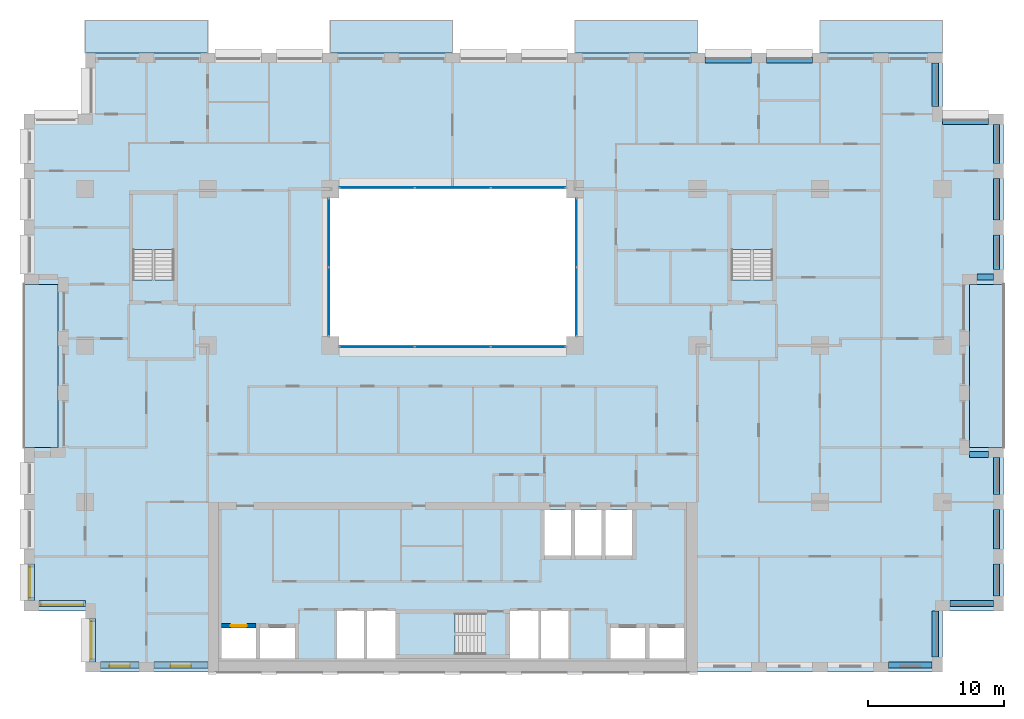
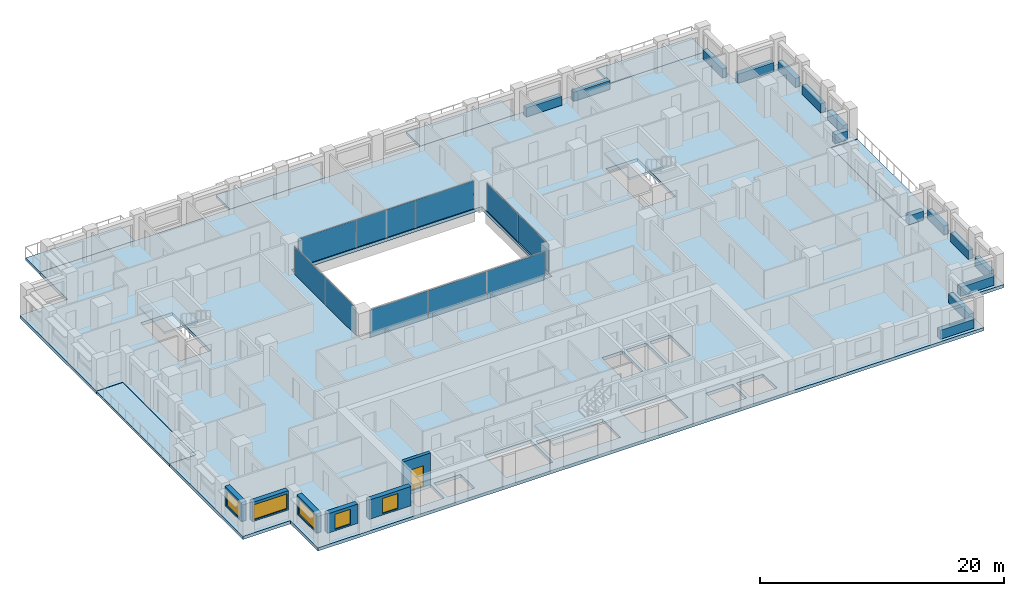
# One storey, part 7 of 16: 15 beams, 10 plates, 10 slabs, 6 walls, 5 windows, 1 door, 6 openings, 7 elements without a shape of their own.
"""IFC4 building model written with IfcOpenShell, lengths in metres."""

from ifc_helpers import new_model, si_unit, direction, frame, frame_2d, origin, origin_2d, place, context, subcontext, project, spatial, polyline, rectangle, outline, extrude, material, layer, layer_set, material_profile, profile_set, type_object, element, fill, aggregate, save


model = new_model("IFC4")

# Units and contexts
model_context = context("Model", 3, precision=1e-05, world=origin(), true_north=direction((0.0, 1.0)))
body_context = subcontext(model_context, "Body", "Model", "MODEL_VIEW")
ifc_project = project(units=[si_unit("LENGTHUNIT", "METRE"), si_unit("AREAUNIT", "SQUARE_METRE"), si_unit("VOLUMEUNIT", "CUBIC_METRE"), si_unit("PLANEANGLEUNIT", "RADIAN"), si_unit("MASSUNIT", "GRAM", prefix="KILO")], contexts=[model_context])

# Site, building, storey
site_placement = place(None, origin())
site = spatial("IfcSite", under=ifc_project, at=site_placement, CompositionType="ELEMENT")
building_placement = place(site_placement, origin())
building = spatial("IfcBuilding", under=site, at=building_placement, Name="Brigalow Station Residences", CompositionType="ELEMENT")
storey_placement = place(building_placement, frame((0.0, 0.0, 83.550048828125)))
storey = spatial("IfcBuildingStorey", under=building, at=storey_placement, Name="L23", CompositionType="ELEMENT", Elevation=83.550048828125)

# Beams
ifc_material_1 = material(Name="Concrete C65", Category="concrete")
ifc_material_profile = material_profile(ifc_material_1, rectangle(XDim=0.449951171875, YDim=0.89990234375, at=origin_2d()), Name="RC450x900")
ifc_profile_set = profile_set([ifc_material_profile], Name="Concrete C65")
beam_type = type_object("IfcBeamType", Name="SPANDREL BEAM 450x900 C65", PredefinedType="SPANDREL", material=ifc_profile_set)
beam_1_placement = place(storey_placement, frame((68.050048828125, 0.52490234375, 0.449951171875), z_axis=(1.0, 0.0, 0.0), x_axis=(0.0, 1.0, 0.0)))
element("IfcBeam", 1, at=beam_1_placement, inside=storey, type_object=beam_type, Name="L23/spandrel/W-L23-7", PredefinedType="SPANDREL", context=body_context, shape_type="SweptSolid", body=[
    extrude(rectangle(XDim=0.449951171875, YDim=0.89990234375, at=origin_2d()), origin(), (0.0, 0.0, 1.0), 3.199951171875),
])
beam_2_placement = place(storey_placement, frame((71.47509765625, 1.10009765625, 0.449951171875), z_axis=(0.0, 1.0, 0.0), x_axis=(-1.0, 0.0, 0.0)))
element("IfcBeam", 2, at=beam_2_placement, inside=storey, type_object=beam_type, Name="L23/spandrel/W-L23-8", PredefinedType="SPANDREL", context=body_context, shape_type="SweptSolid", body=[
    extrude(rectangle(XDim=0.449951171875, YDim=0.89990234375, at=origin_2d()), origin(), (0.0, 0.0, 1.0), 3.39990234375),
])
beam_3_placement = place(storey_placement, frame((72.550048828125, 5.02490234375, 0.449951171875), z_axis=(1.0, 0.0, 0.0), x_axis=(0.0, 1.0, 0.0)))
element("IfcBeam", 3, at=beam_3_placement, inside=storey, type_object=beam_type, Name="L23/spandrel/W-L23-9", PredefinedType="SPANDREL", context=body_context, shape_type="SweptSolid", body=[
    extrude(rectangle(XDim=0.449951171875, YDim=0.89990234375, at=origin_2d()), origin(), (0.0, 0.0, 1.0), 3.199951171875),
])
beam_4_placement = place(storey_placement, frame((75.97509765625, 5.60009765625, 0.449951171875), z_axis=(0.0, 1.0, 0.0), x_axis=(-1.0, 0.0, 0.0)))
element("IfcBeam", 4, at=beam_4_placement, inside=storey, type_object=beam_type, Name="L23/spandrel/W-L23-10", PredefinedType="SPANDREL", context=body_context, shape_type="SweptSolid", body=[
    extrude(rectangle(XDim=0.449951171875, YDim=0.89990234375, at=origin_2d()), origin(), (0.0, 0.0, 1.0), 2.349853515625),
])
beam_5_placement = place(storey_placement, frame((75.97509765625, 9.050048828125, 0.449951171875), z_axis=(0.0, 1.0, 0.0), x_axis=(-1.0, 0.0, 0.0)))
element("IfcBeam", 5, at=beam_5_placement, inside=storey, type_object=beam_type, Name="L23/spandrel/W-L23-11", PredefinedType="SPANDREL", context=body_context, shape_type="SweptSolid", body=[
    extrude(rectangle(XDim=0.449951171875, YDim=0.89990234375, at=origin_2d()), origin(), (0.0, 0.0, 1.0), 2.89990234375),
])
beam_6_placement = place(storey_placement, frame((75.97509765625, 13.050048828125, 0.449951171875), z_axis=(0.0, 1.0, 0.0), x_axis=(-1.0, 0.0, 0.0)))
element("IfcBeam", 6, at=beam_6_placement, inside=storey, type_object=beam_type, Name="L23/spandrel/W-L23-12", PredefinedType="SPANDREL", context=body_context, shape_type="SweptSolid", body=[
    extrude(rectangle(XDim=0.449951171875, YDim=0.89990234375, at=origin_2d()), origin(), (0.0, 0.0, 1.0), 2.699951171875),
])
beam_7_placement = place(storey_placement, frame((75.39990234375, 15.97509765625, 0.449951171875), z_axis=(-1.0, 0.0, 0.0), x_axis=(0.0, -1.0, 0.0)))
element("IfcBeam", 7, at=beam_7_placement, inside=storey, type_object=beam_type, Name="L23/spandrel/W-L23-13", PredefinedType="SPANDREL", context=body_context, shape_type="SweptSolid", body=[
    extrude(rectangle(XDim=0.449951171875, YDim=0.89990234375, at=origin_2d()), origin(), (0.0, 0.0, 1.0), 1.39990234375),
])
beam_8_placement = place(storey_placement, frame((74.550048828125, 29.02490234375, 0.449951171875), z_axis=(1.0, 0.0, 0.0), x_axis=(0.0, 1.0, 0.0)))
element("IfcBeam", 8, at=beam_8_placement, inside=storey, type_object=beam_type, Name="L23/spandrel/W-L23-17", PredefinedType="SPANDREL", context=body_context, shape_type="SweptSolid", body=[
    extrude(rectangle(XDim=0.449951171875, YDim=0.89990234375, at=origin_2d()), origin(), (0.0, 0.0, 1.0), 1.199951171875),
])
beam_9_placement = place(storey_placement, frame((75.97509765625, 29.60009765625, 0.449951171875), z_axis=(0.0, 1.0, 0.0), x_axis=(-1.0, 0.0, 0.0)))
element("IfcBeam", 9, at=beam_9_placement, inside=storey, type_object=beam_type, Name="L23/spandrel/W-L23-18", PredefinedType="SPANDREL", context=body_context, shape_type="SweptSolid", body=[
    extrude(rectangle(XDim=0.449951171875, YDim=0.89990234375, at=origin_2d()), origin(), (0.0, 0.0, 1.0), 2.516845703125),
])
beam_10_placement = place(storey_placement, frame((75.97509765625, 33.217041015625, 0.449951171875), z_axis=(0.0, 1.0, 0.0), x_axis=(-1.0, 0.0, 0.0)))
element("IfcBeam", 10, at=beam_10_placement, inside=storey, type_object=beam_type, Name="L23/spandrel/W-L23-19", PredefinedType="SPANDREL", context=body_context, shape_type="SweptSolid", body=[
    extrude(rectangle(XDim=0.449951171875, YDim=0.89990234375, at=origin_2d()), origin(), (0.0, 0.0, 1.0), 3.06591796875),
])
beam_11_placement = place(storey_placement, frame((75.97509765625, 37.383056640625, 0.449951171875), z_axis=(0.0, 1.0, 0.0), x_axis=(-1.0, 0.0, 0.0)))
element("IfcBeam", 11, at=beam_11_placement, inside=storey, type_object=beam_type, Name="L23/spandrel/W-L23-20", PredefinedType="SPANDREL", context=body_context, shape_type="SweptSolid", body=[
    extrude(rectangle(XDim=0.449951171875, YDim=0.89990234375, at=origin_2d()), origin(), (0.0, 0.0, 1.0), 2.866943359375),
])
beam_12_placement = place(storey_placement, frame((75.39990234375, 40.47509765625, 0.449951171875), z_axis=(-1.0, 0.0, 0.0), x_axis=(0.0, -1.0, 0.0)))
element("IfcBeam", 12, at=beam_12_placement, inside=storey, type_object=beam_type, Name="L23/spandrel/W-L23-21", PredefinedType="SPANDREL", context=body_context, shape_type="SweptSolid", body=[
    extrude(rectangle(XDim=0.449951171875, YDim=0.89990234375, at=origin_2d()), origin(), (0.0, 0.0, 1.0), 3.39990234375),
])
beam_13_placement = place(storey_placement, frame((71.47509765625, 41.550048828125, 0.449951171875), z_axis=(0.0, 1.0, 0.0), x_axis=(-1.0, 0.0, 0.0)))
element("IfcBeam", 13, at=beam_13_placement, inside=storey, type_object=beam_type, Name="L23/spandrel/W-L23-22", PredefinedType="SPANDREL", context=body_context, shape_type="SweptSolid", body=[
    extrude(rectangle(XDim=0.449951171875, YDim=0.89990234375, at=origin_2d()), origin(), (0.0, 0.0, 1.0), 3.199951171875),
])
for number, where, z_axis, x_axis, name in (
    (14, (62.449951171875, 44.97509765625, 0.449951171875), (-1.0, 0.0, 0.0), (0.0, -1.0, 0.0), "L23/spandrel/W-L23-25"),
    (15, (57.949951171875, 44.97509765625, 0.449951171875), (-1.0, 0.0, 0.0), (0.0, -1.0, 0.0), "L23/spandrel/W-L23-26"),
):
    element("IfcBeam", number, at=place(storey_placement, frame(where, z_axis=z_axis, x_axis=x_axis)), inside=storey, type_object=beam_type, Name=name, PredefinedType="SPANDREL", context=body_context, shape_type="SweptSolid", body=[
        extrude(rectangle(XDim=0.449951171875, YDim=0.89990234375, at=origin_2d()), origin(), (0.0, 0.0, 1.0), 3.39990234375),
    ])

# Curtain wall, plates
ifc_material_2 = material(Name="Aluminium", Category="aluminium")
ifc_layer_1 = layer(ifc_material_2, 0.14990234375)
ifc_layer_set_1 = layer_set([ifc_layer_1], Name="ATRIUM FIRE-RATED GLAZING CURTAIN WALL")
curtain_wall_type = type_object("IfcCurtainWallType", Name="ATRIUM FIRE-RATED GLAZING CURTAIN WALL", PredefinedType="NOTDEFINED", material=ifc_layer_set_1)
curtain_wall_1_placement = place(storey_placement, origin())
curtain_wall_1 = element("IfcCurtainWall", 16, at=curtain_wall_1_placement, inside=storey, type_object=curtain_wall_type, Name="L23/cw/atrium-S", PredefinedType="NOTDEFINED")
ifc_material_3 = material(Name="Fire-resisting laminated glazing, FRL -/60/-", Category="glass")
ifc_layer_2 = layer(ifc_material_3, 0.031982421875)
ifc_layer_set_2 = layer_set([ifc_layer_2], Name="ATRIUM FIRE-RATED GLAZING PANEL 32")
plate_type = type_object("IfcPlateType", Name="ATRIUM FIRE-RATED GLAZING PANEL 32", PredefinedType="CURTAIN_PANEL", material=ifc_layer_set_2)
plate_1_placement = place(storey_placement, frame((30.4482421875, 23.89990234375, 0.0), z_axis=(0.0, 0.0, 1.0), x_axis=(1.0, 0.0, 0.0)))
plate_1 = element("IfcPlate", 17, at=plate_1_placement, type_object=plate_type, Name="L23/cw/atrium-S/P00-00", PredefinedType="CURTAIN_PANEL", context=body_context, shape_type="SweptSolid", body=[
    extrude(rectangle(XDim=5.476806640625, YDim=0.031982421875, at=origin_2d()), origin(), (0.0, 0.0, 1.0), 2.77001953125),
])
plate_2_placement = place(storey_placement, frame((36.0, 23.89990234375, 0.0), z_axis=(0.0, 0.0, 1.0), x_axis=(1.0, 0.0, 0.0)))
plate_2 = element("IfcPlate", 18, at=plate_2_placement, type_object=plate_type, Name="L23/cw/atrium-S/P01-00", PredefinedType="CURTAIN_PANEL", context=body_context, shape_type="SweptSolid", body=[
    extrude(rectangle(XDim=5.506591796875, YDim=0.031982421875, at=origin_2d()), origin(), (0.0, 0.0, 1.0), 2.77001953125),
])
plate_3_placement = place(storey_placement, frame((41.5517578125, 23.89990234375, 0.0), z_axis=(0.0, 0.0, 1.0), x_axis=(1.0, 0.0, 0.0)))
plate_3 = element("IfcPlate", 19, at=plate_3_placement, type_object=plate_type, Name="L23/cw/atrium-S/P02-00", PredefinedType="CURTAIN_PANEL", context=body_context, shape_type="SweptSolid", body=[
    extrude(rectangle(XDim=5.476806640625, YDim=0.031982421875, at=origin_2d()), origin(), (0.0, 0.0, 1.0), 2.77001953125),
])
aggregate(curtain_wall_1, [plate_1, plate_2, plate_3])

curtain_wall_2_placement = place(storey_placement, origin())
curtain_wall_2 = element("IfcCurtainWall", 20, at=curtain_wall_2_placement, inside=storey, type_object=curtain_wall_type, Name="L23/cw/atrium-E", PredefinedType="NOTDEFINED")
plate_4_placement = place(storey_placement, frame((45.10009765625, 27.215087890625, 0.0), z_axis=(0.0, 0.0, 1.0), x_axis=(0.0, 1.0, 0.0)))
plate_4 = element("IfcPlate", 21, at=plate_4_placement, type_object=plate_type, Name="L23/cw/atrium-E/P00-00", PredefinedType="CURTAIN_PANEL", context=body_context, shape_type="SweptSolid", body=[
    extrude(rectangle(XDim=5.010009765625, YDim=0.031982421875, at=origin_2d()), origin(), (0.0, 0.0, 1.0), 2.77001953125),
])
plate_5_placement = place(storey_placement, frame((45.10009765625, 32.284912109375, 0.0), z_axis=(0.0, 0.0, 1.0), x_axis=(0.0, 1.0, 0.0)))
plate_5 = element("IfcPlate", 22, at=plate_5_placement, type_object=plate_type, Name="L23/cw/atrium-E/P01-00", PredefinedType="CURTAIN_PANEL", context=body_context, shape_type="SweptSolid", body=[
    extrude(rectangle(XDim=5.010009765625, YDim=0.031982421875, at=origin_2d()), origin(), (0.0, 0.0, 1.0), 2.77001953125),
])
aggregate(curtain_wall_2, [plate_4, plate_5])

curtain_wall_3_placement = place(storey_placement, origin())
curtain_wall_3 = element("IfcCurtainWall", 23, at=curtain_wall_3_placement, inside=storey, type_object=curtain_wall_type, Name="L23/cw/atrium-N", PredefinedType="NOTDEFINED")
plate_6_placement = place(storey_placement, frame((41.5517578125, 35.60009765625, 0.0), z_axis=(0.0, 0.0, 1.0), x_axis=(-1.0, 0.0, 0.0)))
plate_6 = element("IfcPlate", 24, at=plate_6_placement, type_object=plate_type, Name="L23/cw/atrium-N/P00-00", PredefinedType="CURTAIN_PANEL", context=body_context, shape_type="SweptSolid", body=[
    extrude(rectangle(XDim=5.476806640625, YDim=0.031982421875, at=origin_2d()), origin(), (0.0, 0.0, 1.0), 2.77001953125),
])
plate_7_placement = place(storey_placement, frame((36.0, 35.60009765625, 0.0), z_axis=(0.0, 0.0, 1.0), x_axis=(-1.0, 0.0, 0.0)))
plate_7 = element("IfcPlate", 25, at=plate_7_placement, type_object=plate_type, Name="L23/cw/atrium-N/P01-00", PredefinedType="CURTAIN_PANEL", context=body_context, shape_type="SweptSolid", body=[
    extrude(rectangle(XDim=5.506591796875, YDim=0.031982421875, at=origin_2d()), origin(), (0.0, 0.0, 1.0), 2.77001953125),
])
plate_8_placement = place(storey_placement, frame((30.4482421875, 35.60009765625, 0.0), z_axis=(0.0, 0.0, 1.0), x_axis=(-1.0, 0.0, 0.0)))
plate_8 = element("IfcPlate", 26, at=plate_8_placement, type_object=plate_type, Name="L23/cw/atrium-N/P02-00", PredefinedType="CURTAIN_PANEL", context=body_context, shape_type="SweptSolid", body=[
    extrude(rectangle(XDim=5.476806640625, YDim=0.031982421875, at=origin_2d()), origin(), (0.0, 0.0, 1.0), 2.77001953125),
])
aggregate(curtain_wall_3, [plate_6, plate_7, plate_8])

curtain_wall_4_placement = place(storey_placement, origin())
curtain_wall_4 = element("IfcCurtainWall", 27, at=curtain_wall_4_placement, inside=storey, type_object=curtain_wall_type, Name="L23/cw/atrium-W", PredefinedType="NOTDEFINED")
plate_9_placement = place(storey_placement, frame((26.89990234375, 32.284912109375, 0.0), z_axis=(0.0, 0.0, 1.0), x_axis=(0.0, -1.0, 0.0)))
plate_9 = element("IfcPlate", 28, at=plate_9_placement, type_object=plate_type, Name="L23/cw/atrium-W/P00-00", PredefinedType="CURTAIN_PANEL", context=body_context, shape_type="SweptSolid", body=[
    extrude(rectangle(XDim=5.010009765625, YDim=0.031982421875, at=origin_2d()), origin(), (0.0, 0.0, 1.0), 2.77001953125),
])
plate_10_placement = place(storey_placement, frame((26.89990234375, 27.215087890625, 0.0), z_axis=(0.0, 0.0, 1.0), x_axis=(0.0, -1.0, 0.0)))
plate_10 = element("IfcPlate", 29, at=plate_10_placement, type_object=plate_type, Name="L23/cw/atrium-W/P01-00", PredefinedType="CURTAIN_PANEL", context=body_context, shape_type="SweptSolid", body=[
    extrude(rectangle(XDim=5.010009765625, YDim=0.031982421875, at=origin_2d()), origin(), (0.0, 0.0, 1.0), 2.77001953125),
])
aggregate(curtain_wall_4, [plate_9, plate_10])

# Slabs
ifc_material_4 = material(Name="Concrete C50 precast", Category="concrete")
ifc_layer_3 = layer(ifc_material_4, 0.25)
ifc_layer_set_3 = layer_set([ifc_layer_3], Name="BALCONY SLAB 250")
slab_type_1 = type_object("IfcSlabType", Name="BALCONY SLAB 250", PredefinedType="USERDEFINED", material=ifc_layer_set_3)
slab_1_placement = place(storey_placement, frame((0.0, 0.0, -0.2900390625)))
element("IfcSlab", 30, at=slab_1_placement, inside=storey, type_object=slab_type_1, Name="L23/balcony/1", ObjectType="BALCONY", PredefinedType="USERDEFINED", context=body_context, shape_type="SweptSolid", body=[
    extrude(outline(polyline([(74.0, 16.5), (76.5, 16.5), (76.5, 28.5), (74.0, 28.5), (74.0, 16.5)])), origin(), (0.0, 0.0, 1.0), 0.25),
])
slab_2_placement = place(storey_placement, frame((0.0, 0.0, -0.2900390625)))
element("IfcSlab", 31, at=slab_2_placement, inside=storey, type_object=slab_type_1, Name="L23/balcony/2", ObjectType="BALCONY", PredefinedType="USERDEFINED", context=body_context, shape_type="SweptSolid", body=[
    extrude(outline(polyline([(72.0, 45.5), (72.0, 47.89990234375), (63.0, 47.89990234375), (63.0, 45.5), (72.0, 45.5)])), origin(), (0.0, 0.0, 1.0), 0.25),
])
slab_3_placement = place(storey_placement, frame((0.0, 0.0, -0.2900390625)))
element("IfcSlab", 32, at=slab_3_placement, inside=storey, type_object=slab_type_1, Name="L23/balcony/3", ObjectType="BALCONY", PredefinedType="USERDEFINED", context=body_context, shape_type="SweptSolid", body=[
    extrude(outline(polyline([(54.0, 45.5), (54.0, 47.89990234375), (45.0, 47.89990234375), (45.0, 45.5), (54.0, 45.5)])), origin(), (0.0, 0.0, 1.0), 0.25),
])
slab_4_placement = place(storey_placement, frame((0.0, 0.0, -0.2900390625)))
element("IfcSlab", 33, at=slab_4_placement, inside=storey, type_object=slab_type_1, Name="L23/balcony/4", ObjectType="BALCONY", PredefinedType="USERDEFINED", context=body_context, shape_type="SweptSolid", body=[
    extrude(outline(polyline([(36.0, 45.5), (36.0, 47.89990234375), (27.0, 47.89990234375), (27.0, 45.5), (36.0, 45.5)])), origin(), (0.0, 0.0, 1.0), 0.25),
])
slab_5_placement = place(storey_placement, frame((0.0, 0.0, -0.2900390625)))
element("IfcSlab", 34, at=slab_5_placement, inside=storey, type_object=slab_type_1, Name="L23/balcony/5", ObjectType="BALCONY", PredefinedType="USERDEFINED", context=body_context, shape_type="SweptSolid", body=[
    extrude(outline(polyline([(18.0, 45.5), (18.0, 47.89990234375), (9.0, 47.89990234375), (9.0, 45.5), (18.0, 45.5)])), origin(), (0.0, 0.0, 1.0), 0.25),
])
slab_6_placement = place(storey_placement, frame((0.0, 0.0, -0.2900390625)))
element("IfcSlab", 35, at=slab_6_placement, inside=storey, type_object=slab_type_1, Name="L23/balcony/6", ObjectType="BALCONY", PredefinedType="USERDEFINED", context=body_context, shape_type="SweptSolid", body=[
    extrude(outline(polyline([(7.0, 28.5), (4.5, 28.5), (4.5, 16.5), (7.0, 16.5), (7.0, 28.5)])), origin(), (0.0, 0.0, 1.0), 0.25),
])
ifc_material_5 = material(Name="Concrete C50", Category="concrete")
ifc_layer_4 = layer(ifc_material_5, 0.320068359375)
ifc_layer_set_4 = layer_set([ifc_layer_4], Name="POST-TENSIONED FLAT PLATE 320 C50")
slab_type_2 = type_object("IfcSlabType", Name="POST-TENSIONED FLAT PLATE 320 C50", PredefinedType="FLOOR", material=ifc_layer_set_4)
slab_7_placement = place(storey_placement, frame((0.0, 0.0, -0.320068359375)))
element("IfcSlab", 36, at=slab_7_placement, inside=storey, type_object=slab_type_2, Name="FLOOR SLAB L23", PredefinedType="FLOOR", context=body_context, shape_type="SweptSolid", body=[
    extrude(outline(polyline([(9.0, 0.0), (72.0, 0.0), (72.0, 4.5), (76.5, 4.5), (76.5, 16.5), (74.0, 16.5), (74.0, 28.5), (76.5, 28.5), (76.5, 41.0), (72.0, 41.0), (72.0, 45.5), (9.0, 45.5), (9.0, 41.0), (4.5, 41.0), (4.5, 28.5), (7.0, 28.5), (7.0, 16.5), (4.5, 16.5), (4.5, 4.5), (9.0, 4.5), (9.0, 0.0)]), holes=[polyline([(12.5048828125, 35.094970703125), (15.4951171875, 35.094970703125), (15.4951171875, 28.804931640625), (12.5048828125, 28.804931640625), (12.5048828125, 35.094970703125)]), polyline([(19.0, 1.0), (19.0, 3.25), (21.550048828125, 3.25), (21.550048828125, 1.0), (19.0, 1.0)]), polyline([(21.85009765625, 3.25), (24.39990234375, 3.25), (24.39990234375, 1.0), (21.85009765625, 1.0), (21.85009765625, 3.25)]), polyline([(27.0, 35.5), (45.0, 35.5), (45.0, 24.0), (27.0, 24.0), (27.0, 35.5)]), polyline([(29.60009765625, 4.60009765625), (31.800048828125, 4.60009765625), (31.800048828125, 1.0), (29.60009765625, 1.0), (27.39990234375, 1.0), (27.39990234375, 4.60009765625), (29.60009765625, 4.60009765625)]), polyline([(32.10498046875, 4.294921875), (38.39501953125, 4.294921875), (38.39501953125, 1.304931640625), (32.10498046875, 1.304931640625), (32.10498046875, 4.294921875)]), polyline([(40.199951171875, 4.60009765625), (42.39990234375, 4.60009765625), (44.60009765625, 4.60009765625), (44.60009765625, 1.0), (42.39990234375, 1.0), (40.199951171875, 1.0), (40.199951171875, 4.60009765625)]), polyline([(42.75, 11.89990234375), (44.699951171875, 11.89990234375), (44.699951171875, 8.550048828125), (42.75, 8.550048828125), (42.75, 11.89990234375)]), polyline([(45.0, 11.89990234375), (46.949951171875, 11.89990234375), (46.949951171875, 8.550048828125), (45.0, 8.550048828125), (45.0, 11.89990234375)]), polyline([(47.25, 11.89990234375), (49.199951171875, 11.89990234375), (49.199951171875, 8.550048828125), (47.25, 8.550048828125), (47.25, 11.89990234375)]), polyline([(47.60009765625, 3.25), (50.14990234375, 3.25), (50.14990234375, 1.0), (47.60009765625, 1.0), (47.60009765625, 3.25)]), polyline([(50.449951171875, 3.25), (53.0, 3.25), (53.0, 1.0), (50.449951171875, 1.0), (50.449951171875, 3.25)]), polyline([(56.5048828125, 35.094970703125), (59.4951171875, 35.094970703125), (59.4951171875, 28.804931640625), (56.5048828125, 28.804931640625), (56.5048828125, 35.094970703125)])]), origin(), (0.0, 0.0, 1.0), 0.320068359375),
])

# Stair, slab
ifc_material_6 = material(Name="Concrete C50", Category="concrete")
stair_type = type_object("IfcStairType", Name="EXIT STAIR 1400 2 FLIGHT", PredefinedType="HALF_TURN_STAIR", material=ifc_material_6)
stair_1_placement = place(storey_placement, origin())
stair_1 = element("IfcStair", 37, at=stair_1_placement, inside=storey, type_object=stair_type, Name="EXIT STAIR S2 L23", PredefinedType="HALF_TURN_STAIR")
ifc_material_7 = material(Name="Concrete C50", Category="concrete")
ifc_layer_5 = layer(ifc_material_7, 0.199951171875)
ifc_layer_set_5 = layer_set([ifc_layer_5], Name="STAIR LANDING 200")
slab_type_3 = type_object("IfcSlabType", Name="STAIR LANDING 200", PredefinedType="LANDING", material=ifc_layer_set_5)
slab_8_placement = place(storey_placement, frame((0.0, 0.0, 1.375)))
slab_8 = element("IfcSlab", 38, at=slab_8_placement, type_object=slab_type_3, Name="ST-2 landing 1", PredefinedType="LANDING", context=body_context, shape_type="SweptSolid", body=[
    extrude(outline(polyline([(32.0, 1.199951171875), (36.159912109375, 1.199951171875), (36.159912109375, 4.39990234375), (32.0, 4.39990234375), (32.0, 1.199951171875)])), origin(), (0.0, 0.0, 1.0), 0.199951171875),
])
aggregate(stair_1, [slab_8])

stair_2_placement = place(storey_placement, origin())
stair_2 = element("IfcStair", 39, at=stair_2_placement, inside=storey, type_object=stair_type, Name="EXIT STAIR S1 L23", PredefinedType="HALF_TURN_STAIR")
slab_9_placement = place(storey_placement, frame((0.0, 0.0, 1.375)))
slab_9 = element("IfcSlab", 40, at=slab_9_placement, type_object=slab_type_3, Name="ST-1 landing 1", PredefinedType="LANDING", context=body_context, shape_type="SweptSolid", body=[
    extrude(outline(polyline([(12.39990234375, 31.0400390625), (15.60009765625, 31.0400390625), (15.60009765625, 35.199951171875), (12.39990234375, 35.199951171875), (12.39990234375, 31.0400390625)])), origin(), (0.0, 0.0, 1.0), 0.199951171875),
])
aggregate(stair_2, [slab_9])

stair_3_placement = place(storey_placement, origin())
stair_3 = element("IfcStair", 41, at=stair_3_placement, inside=storey, type_object=stair_type, Name="EXIT STAIR S3 L23", PredefinedType="HALF_TURN_STAIR")
slab_10_placement = place(storey_placement, frame((0.0, 0.0, 1.375)))
slab_10 = element("IfcSlab", 42, at=slab_10_placement, type_object=slab_type_3, Name="ST-3 landing 1", PredefinedType="LANDING", context=body_context, shape_type="SweptSolid", body=[
    extrude(outline(polyline([(56.39990234375, 31.0400390625), (59.60009765625, 31.0400390625), (59.60009765625, 35.199951171875), (56.39990234375, 35.199951171875), (56.39990234375, 31.0400390625)])), origin(), (0.0, 0.0, 1.0), 0.199951171875),
])
aggregate(stair_3, [slab_10])

# Wall, opening, window
ifc_material_8 = material(Name="Clay brick masonry", Category="masonry")
ifc_layer_6 = layer(ifc_material_8, 0.449951171875)
ifc_layer_set_6 = layer_set([ifc_layer_6], Name="BRICK INFILL WALL 450")
wall_type_1 = type_object("IfcWallType", Name="BRICK INFILL WALL 450", PredefinedType="SOLIDWALL", material=ifc_layer_set_6)
wall_1_placement = place(storey_placement, frame((10.10009765625, 0.52490234375, 0.89990234375), z_axis=(0.0, 0.0, 1.0), x_axis=(1.0, 0.0, 0.0)))
wall_1 = element("IfcWall", 43, at=wall_1_placement, inside=storey, type_object=wall_type_1, Name="L23/ewall/W-L23-1", PredefinedType="SOLIDWALL", context=body_context, shape_type="SweptSolid", body=[
    extrude(rectangle(XDim=2.849853515625, YDim=0.449951171875, at=frame_2d((1.4248046875, 0.0))), origin(), (0.0, 0.0, 1.0), 1.929931640625),
])
opening_1_placement = place(wall_1_placement, frame((0.675048828125, 0.0, 0.14990234375)))
opening_1 = element("IfcOpeningElement", 44, at=opening_1_placement, cuts=wall_1, Name="Opening WT-1", PredefinedType="OPENING", context=body_context, shape_type="SweptSolid", body=[
    extrude(rectangle(XDim=1.5, YDim=1.5, at=frame_2d((0.75, 0.75))), frame((0.0, 0.23486328125, 0.0), z_axis=(0.0, -1.0, 0.0), x_axis=(1.0, 0.0, 0.0)), (0.0, 0.0, 1.0), 0.469970703125),
])
ifc_material_9 = material(Name="Anodised aluminium frame with double glazing", Category="aluminium")
window_type_1 = type_object("IfcWindowType", Name="WINDOW 1500x1500", PartitioningType="SINGLE_PANEL", PredefinedType="WINDOW", material=ifc_material_9)
window_1_placement = place(opening_1_placement, origin())
window_1 = element("IfcWindow", 45, at=window_1_placement, inside=storey, type_object=window_type_1, Name="L23/window/W-L23-1", OverallHeight=1.5, OverallWidth=1.5, PartitioningType="SINGLE_PANEL", PredefinedType="WINDOW", context=body_context, shape_type="SweptSolid", body=[
    extrude(rectangle(XDim=1.5, YDim=1.5, at=frame_2d((0.75, 0.75))), frame((0.0, -0.06494140625, 0.0), z_axis=(0.0, -1.0, 0.0), x_axis=(1.0, 0.0, 0.0)), (0.0, 0.0, 1.0), 0.06005859375),
])
fill(opening_1, window_1)

wall_2_placement = place(storey_placement, frame((14.050048828125, 0.52490234375, 0.89990234375), z_axis=(0.0, 0.0, 1.0), x_axis=(1.0, 0.0, 0.0)))
wall_2 = element("IfcWall", 46, at=wall_2_placement, inside=storey, type_object=wall_type_1, Name="L23/ewall/W-L23-2", PredefinedType="SOLIDWALL", context=body_context, shape_type="SweptSolid", body=[
    extrude(rectangle(XDim=3.949951171875, YDim=0.449951171875, at=frame_2d((1.97509765625, 0.0))), origin(), (0.0, 0.0, 1.0), 1.929931640625),
])
opening_2_placement = place(wall_2_placement, frame((1.22509765625, 0.0, 0.14990234375)))
opening_2 = element("IfcOpeningElement", 47, at=opening_2_placement, cuts=wall_2, Name="Opening WT-1", PredefinedType="OPENING", context=body_context, shape_type="SweptSolid", body=[
    extrude(rectangle(XDim=1.5, YDim=1.5, at=frame_2d((0.75, 0.75))), frame((0.0, 0.23486328125, 0.0), z_axis=(0.0, -1.0, 0.0), x_axis=(1.0, 0.0, 0.0)), (0.0, 0.0, 1.0), 0.469970703125),
])
window_2_placement = place(opening_2_placement, origin())
window_2 = element("IfcWindow", 48, at=window_2_placement, inside=storey, type_object=window_type_1, Name="L23/window/W-L23-2", OverallHeight=1.5, OverallWidth=1.5, PartitioningType="SINGLE_PANEL", PredefinedType="WINDOW", context=body_context, shape_type="SweptSolid", body=[
    extrude(rectangle(XDim=1.5, YDim=1.5, at=frame_2d((0.75, 0.75))), frame((0.0, -0.06494140625, 0.0), z_axis=(0.0, -1.0, 0.0), x_axis=(1.0, 0.0, 0.0)), (0.0, 0.0, 1.0), 0.06005859375),
])
fill(opening_2, window_2)

wall_3_placement = place(storey_placement, frame((5.02490234375, 7.949951171875, 0.89990234375), z_axis=(0.0, 0.0, 1.0), x_axis=(0.0, -1.0, 0.0)))
wall_3 = element("IfcWall", 49, at=wall_3_placement, inside=storey, type_object=wall_type_1, Name="L23/ewall/W-L23-49", PredefinedType="SOLIDWALL", context=body_context, shape_type="SweptSolid", body=[
    extrude(rectangle(XDim=2.699951171875, YDim=0.449951171875, at=frame_2d((1.35009765625, 0.0))), origin(), (0.0, 0.0, 1.0), 1.929931640625),
])
opening_3_placement = place(wall_3_placement, frame((0.22509765625, 0.0, 0.14990234375)))
opening_3 = element("IfcOpeningElement", 50, at=opening_3_placement, cuts=wall_3, Name="Opening WT-6", PredefinedType="OPENING", context=body_context, shape_type="SweptSolid", body=[
    extrude(rectangle(XDim=2.25, YDim=1.5, at=frame_2d((1.125, 0.75))), frame((0.0, 0.23486328125, 0.0), z_axis=(0.0, -1.0, 0.0), x_axis=(1.0, 0.0, 0.0)), (0.0, 0.0, 1.0), 0.469970703125),
])
ifc_material_10 = material(Name="Anodised aluminium frame with double glazing", Category="aluminium")
window_type_2 = type_object("IfcWindowType", Name="WINDOW 2250x1500", PartitioningType="SINGLE_PANEL", PredefinedType="WINDOW", material=ifc_material_10)
window_3_placement = place(opening_3_placement, origin())
window_3 = element("IfcWindow", 51, at=window_3_placement, inside=storey, type_object=window_type_2, Name="L23/window/W-L23-49", OverallHeight=1.5, OverallWidth=2.25, PartitioningType="SINGLE_PANEL", PredefinedType="WINDOW", context=body_context, shape_type="SweptSolid", body=[
    extrude(rectangle(XDim=2.25, YDim=1.5, at=frame_2d((1.125, 0.75))), frame((0.0, -0.06494140625, 0.0), z_axis=(0.0, -1.0, 0.0), x_axis=(1.0, 0.0, 0.0)), (0.0, 0.0, 1.0), 0.06005859375),
])
fill(opening_3, window_3)

wall_4_placement = place(storey_placement, frame((5.60009765625, 5.02490234375, 0.89990234375), z_axis=(0.0, 0.0, 1.0), x_axis=(1.0, 0.0, 0.0)))
wall_4 = element("IfcWall", 52, at=wall_4_placement, inside=storey, type_object=wall_type_1, Name="L23/ewall/W-L23-50", PredefinedType="SOLIDWALL", context=body_context, shape_type="SweptSolid", body=[
    extrude(rectangle(XDim=3.39990234375, YDim=0.449951171875, at=frame_2d((1.699951171875, 0.0))), origin(), (0.0, 0.0, 1.0), 1.929931640625),
])
opening_4_placement = place(wall_4_placement, frame((0.14990234375, 0.0, 0.14990234375)))
opening_4 = element("IfcOpeningElement", 53, at=opening_4_placement, cuts=wall_4, Name="Opening WT-8", PredefinedType="OPENING", context=body_context, shape_type="SweptSolid", body=[
    extrude(rectangle(XDim=3.10009765625, YDim=1.5, at=frame_2d((1.550048828125, 0.75))), frame((0.0, 0.23486328125, 0.0), z_axis=(0.0, -1.0, 0.0), x_axis=(1.0, 0.0, 0.0)), (0.0, 0.0, 1.0), 0.469970703125),
])
ifc_material_11 = material(Name="Anodised aluminium frame with double glazing", Category="aluminium")
window_type_3 = type_object("IfcWindowType", Name="WINDOW 3100x1500", PartitioningType="SINGLE_PANEL", PredefinedType="WINDOW", material=ifc_material_11)
window_4_placement = place(opening_4_placement, origin())
window_4 = element("IfcWindow", 54, at=window_4_placement, inside=storey, type_object=window_type_3, Name="L23/window/W-L23-50", OverallHeight=1.5, OverallWidth=3.10009765625, PartitioningType="SINGLE_PANEL", PredefinedType="WINDOW", context=body_context, shape_type="SweptSolid", body=[
    extrude(rectangle(XDim=3.10009765625, YDim=1.5, at=frame_2d((1.550048828125, 0.75))), frame((0.0, -0.06494140625, 0.0), z_axis=(0.0, -1.0, 0.0), x_axis=(1.0, 0.0, 0.0)), (0.0, 0.0, 1.0), 0.06005859375),
])
fill(opening_4, window_4)

wall_5_placement = place(storey_placement, frame((9.52490234375, 3.949951171875, 0.89990234375), z_axis=(0.0, 0.0, 1.0), x_axis=(0.0, -1.0, 0.0)))
wall_5 = element("IfcWall", 55, at=wall_5_placement, inside=storey, type_object=wall_type_1, Name="L23/ewall/W-L23-51", PredefinedType="SOLIDWALL", context=body_context, shape_type="SweptSolid", body=[
    extrude(rectangle(XDim=3.199951171875, YDim=0.449951171875, at=frame_2d((1.60009765625, 0.0))), origin(), (0.0, 0.0, 1.0), 1.929931640625),
])
opening_5_placement = place(wall_5_placement, frame((0.22509765625, 0.0, 0.14990234375)))
opening_5 = element("IfcOpeningElement", 56, at=opening_5_placement, cuts=wall_5, Name="Opening WT-3", PredefinedType="OPENING", context=body_context, shape_type="SweptSolid", body=[
    extrude(rectangle(XDim=2.75, YDim=1.5, at=frame_2d((1.375, 0.75))), frame((0.0, 0.23486328125, 0.0), z_axis=(0.0, -1.0, 0.0), x_axis=(1.0, 0.0, 0.0)), (0.0, 0.0, 1.0), 0.469970703125),
])
ifc_material_12 = material(Name="Anodised aluminium frame with double glazing", Category="aluminium")
window_type_4 = type_object("IfcWindowType", Name="WINDOW 2750x1500", PartitioningType="SINGLE_PANEL", PredefinedType="WINDOW", material=ifc_material_12)
window_5_placement = place(opening_5_placement, origin())
window_5 = element("IfcWindow", 57, at=window_5_placement, inside=storey, type_object=window_type_4, Name="L23/window/W-L23-51", OverallHeight=1.5, OverallWidth=2.75, PartitioningType="SINGLE_PANEL", PredefinedType="WINDOW", context=body_context, shape_type="SweptSolid", body=[
    extrude(rectangle(XDim=2.75, YDim=1.5, at=frame_2d((1.375, 0.75))), frame((0.0, -0.06494140625, 0.0), z_axis=(0.0, -1.0, 0.0), x_axis=(1.0, 0.0, 0.0)), (0.0, 0.0, 1.0), 0.06005859375),
])
fill(opening_5, window_5)

# Wall, opening, door
ifc_material_13 = material(Name="Concrete C65", Category="concrete")
ifc_layer_7 = layer(ifc_material_13, 0.300048828125)
ifc_layer_set_7 = layer_set([ifc_layer_7], Name="CORE SHEAR WALL 300 C65")
wall_type_2 = type_object("IfcWallType", Name="CORE SHEAR WALL 300 C65", PredefinedType="SHEAR", material=ifc_layer_set_7)
wall_6_placement = place(storey_placement, frame((19.0, 3.39990234375, 0.0), z_axis=(0.0, 0.0, 1.0), x_axis=(1.0, 0.0, 0.0)))
wall_6 = element("IfcWall", 58, at=wall_6_placement, inside=storey, type_object=wall_type_2, Name="CORE WALL SH-C1-N L23", PredefinedType="SHEAR", context=body_context, shape_type="SweptSolid", body=[
    extrude(rectangle(XDim=2.550048828125, YDim=0.300048828125, at=frame_2d((1.27490234375, 0.0))), origin(), (0.0, 0.0, 1.0), 3.14990234375),
])
opening_6_placement = place(wall_6_placement, frame((0.675048828125, 0.0, 0.0)))
opening_6 = element("IfcOpeningElement", 59, at=opening_6_placement, cuts=wall_6, Name="Opening LD-LB1", PredefinedType="OPENING", context=body_context, shape_type="SweptSolid", body=[
    extrude(rectangle(XDim=1.199951171875, YDim=2.10009765625, at=frame_2d((0.60009765625, 1.050048828125))), frame((0.0, 0.16015625, 0.0), z_axis=(0.0, -1.0, 0.0), x_axis=(1.0, 0.0, 0.0)), (0.0, 0.0, 1.0), 0.320068359375),
])
ifc_material_14 = material(Name="Stainless steel sliding door leaves", Category="steel")
door_type = type_object("IfcDoorType", Name="LIFT LANDING DOOR 1200 x 2100", OperationType="DOUBLE_DOOR_SLIDING", PredefinedType="DOOR", material=ifc_material_14)
door_placement = place(opening_6_placement, origin())
door = element("IfcDoor", 60, at=door_placement, inside=storey, type_object=door_type, Name="LANDING DOOR LB1", OperationType="DOUBLE_DOOR_SLIDING", OverallHeight=2.10009765625, OverallWidth=1.199951171875, PredefinedType="DOOR", context=body_context, shape_type="SweptSolid", body=[
    extrude(rectangle(XDim=1.199951171875, YDim=2.10009765625, at=frame_2d((0.60009765625, 1.050048828125))), frame((0.0, 0.02490234375, 0.0), z_axis=(0.0, -1.0, 0.0), x_axis=(1.0, 0.0, 0.0)), (0.0, 0.0, 1.0), 0.050048828125),
])
fill(opening_6, door)

save(model, "model.ifc")
